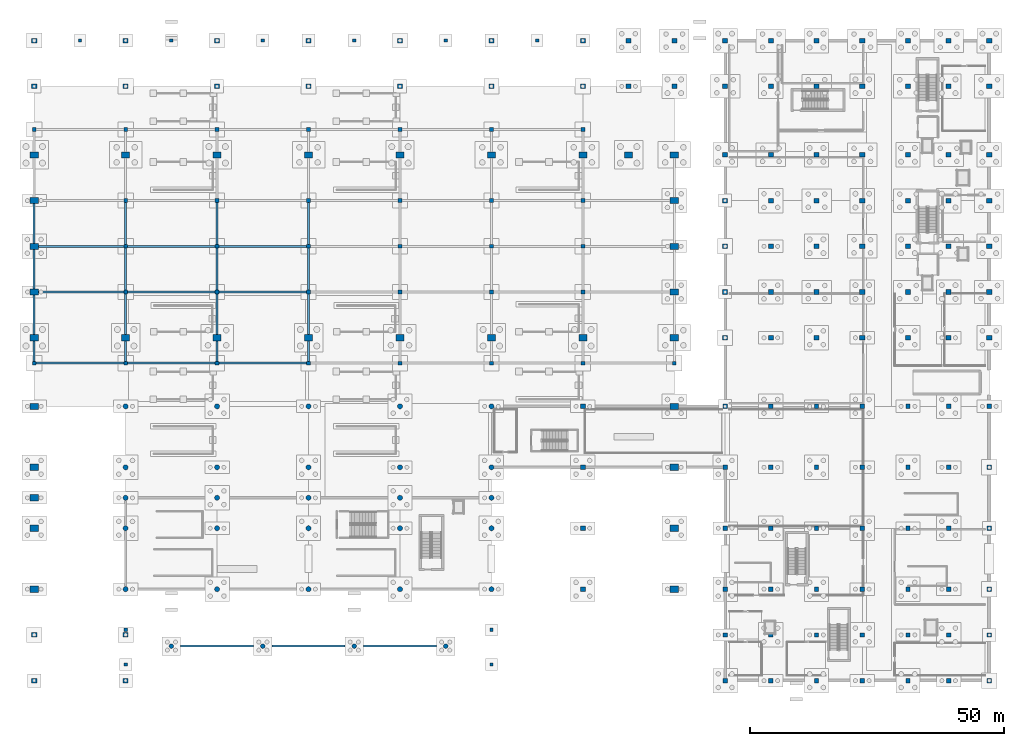
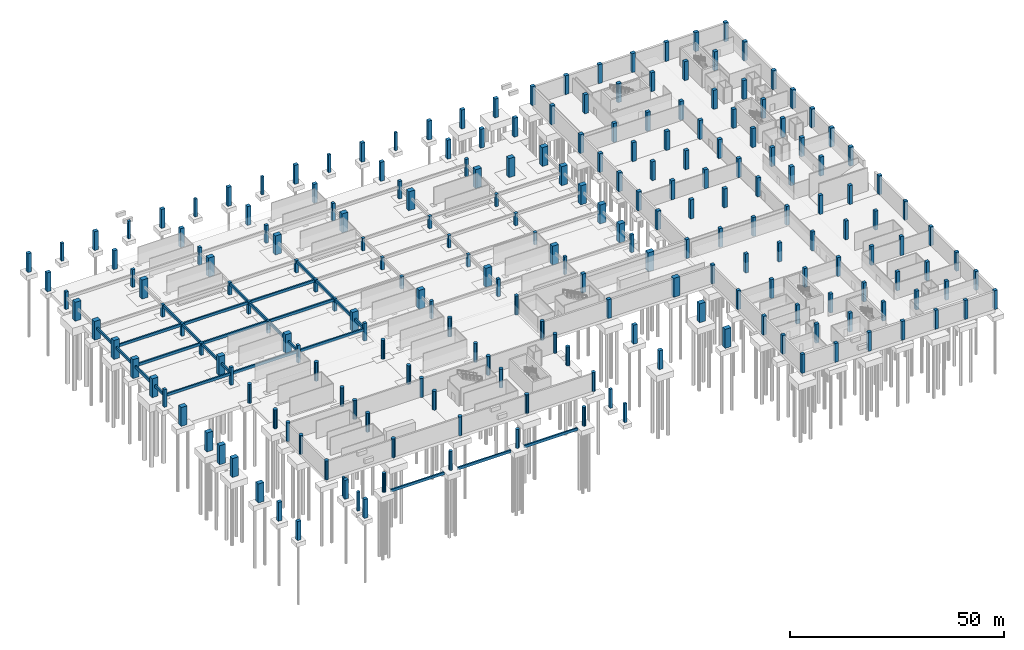
# One storey, part 10 of 26: 221 columns, 28 beams.
"""IFC4 building model written with IfcOpenShell, lengths in metres."""

from ifc_helpers import new_model, si_unit, direction, frame, origin, origin_2d, place, context, subcontext, project, spatial, rectangle, circle, extrude, material, material_profile, profile_set, type_object, element, save


model = new_model("IFC4")

# Units and contexts
model_context = context("Model", 3, precision=1e-05, world=origin(), true_north=direction((0.0, 1.0)))
body_context = subcontext(model_context, "Body", "Model", "MODEL_VIEW")
ifc_project = project(units=[si_unit("LENGTHUNIT", "METRE"), si_unit("AREAUNIT", "SQUARE_METRE"), si_unit("VOLUMEUNIT", "CUBIC_METRE"), si_unit("PLANEANGLEUNIT", "RADIAN"), si_unit("MASSUNIT", "GRAM", prefix="KILO")], contexts=[model_context])

# Site, building, storey
site_placement = place(None, origin())
site = spatial("IfcSite", under=ifc_project, at=site_placement, CompositionType="ELEMENT")
building_placement = place(site_placement, origin())
building = spatial("IfcBuilding", under=site, at=building_placement, Name="Chuanluo Vaults Station", CompositionType="ELEMENT")
storey_placement = place(building_placement, frame((0.0, 0.0, -5.39990234375)))
storey = spatial("IfcBuildingStorey", under=building, at=storey_placement, Name="B1", CompositionType="ELEMENT", Elevation=-5.39990234375)

# Columns
ifc_material_1 = material(Name="Concrete C50", Category="concrete")
ifc_material_profile_1 = material_profile(ifc_material_1, circle(Radius=0.5, at=origin_2d()))
ifc_profile_set_1 = profile_set([ifc_material_profile_1], Name="Concrete C50")
column_type_1 = type_object("IfcColumnType", Name="COL-CIR-1000", PredefinedType="COLUMN", material=ifc_profile_set_1)
for number, where, z_axis, x_axis, name in (
    (1, (18.0, 18.0, 0.0), (0.0, 0.0, 1.0), (1.0, 0.0, 0.0), "Column B1-017"),
    (2, (18.0, 30.0, 0.0), (0.0, 0.0, 1.0), (1.0, 0.0, 0.0), "Column B1-018"),
    (3, (18.0, 36.0, 0.0), (0.0, 0.0, 1.0), (1.0, 0.0, 0.0), "Column B1-019"),
    (4, (18.0, 42.0, 0.0), (0.0, 0.0, 1.0), (1.0, 0.0, 0.0), "Column B1-020"),
    (5, (18.0, 54.0, 0.0), (0.0, 0.0, 1.0), (1.0, 0.0, 0.0), "Column B1-021"),
    (6, (36.0, 18.0, 0.0), (0.0, 0.0, 1.0), (1.0, 0.0, 0.0), "Column B1-026"),
    (7, (36.0, 30.0, 0.0), (0.0, 0.0, 1.0), (1.0, 0.0, 0.0), "Column B1-027"),
    (8, (36.0, 36.0, 0.0), (0.0, 0.0, 1.0), (1.0, 0.0, 0.0), "Column B1-028"),
    (9, (36.0, 42.0, 0.0), (0.0, 0.0, 1.0), (1.0, 0.0, 0.0), "Column B1-029"),
    (10, (36.0, 54.0, 0.0), (0.0, 0.0, 1.0), (1.0, 0.0, 0.0), "Column B1-030"),
    (11, (54.0, 18.0, 0.0), (0.0, 0.0, 1.0), (1.0, 0.0, 0.0), "Column B1-035"),
    (12, (54.0, 30.0, 0.0), (0.0, 0.0, 1.0), (1.0, 0.0, 0.0), "Column B1-036"),
    (13, (54.0, 36.0, 0.0), (0.0, 0.0, 1.0), (1.0, 0.0, 0.0), "Column B1-037"),
    (14, (54.0, 42.0, 0.0), (0.0, 0.0, 1.0), (1.0, 0.0, 0.0), "Column B1-038"),
    (15, (54.0, 54.0, 0.0), (0.0, 0.0, 1.0), (1.0, 0.0, 0.0), "Column B1-039"),
    (16, (72.0, 18.0, 0.0), (0.0, 0.0, 1.0), (1.0, 0.0, 0.0), "Column B1-044"),
    (17, (72.0, 30.0, 0.0), (0.0, 0.0, 1.0), (1.0, 0.0, 0.0), "Column B1-045"),
    (18, (72.0, 36.0, 0.0), (0.0, 0.0, 1.0), (1.0, 0.0, 0.0), "Column B1-046"),
    (19, (72.0, 42.0, 0.0), (0.0, 0.0, 1.0), (1.0, 0.0, 0.0), "Column B1-047"),
    (20, (72.0, 54.0, 0.0), (0.0, 0.0, 1.0), (1.0, 0.0, 0.0), "Column B1-048"),
    (21, (90.0, 18.0, 0.0), (0.0, 0.0, 1.0), (1.0, 0.0, 0.0), "Column B1-053"),
    (22, (90.0, 30.0, 0.0), (0.0, 0.0, 1.0), (1.0, 0.0, 0.0), "Column B1-054"),
    (23, (90.0, 36.0, 0.0), (0.0, 0.0, 1.0), (1.0, 0.0, 0.0), "Column B1-055"),
    (24, (90.0, 42.0, 0.0), (0.0, 0.0, 1.0), (1.0, 0.0, 0.0), "Column B1-056"),
    (25, (90.0, 54.0, 0.0), (0.0, 0.0, 1.0), (1.0, 0.0, 0.0), "Column B1-057"),
):
    element("IfcColumn", number, at=place(storey_placement, frame(where, z_axis=z_axis, x_axis=x_axis)), inside=storey, type_object=column_type_1, Name=name, PredefinedType="COLUMN", context=body_context, shape_type="SweptSolid", body=[
        extrude(circle(Radius=0.5, at=origin_2d()), origin(), (0.0, 0.0, 1.0), 5.39990234375),
    ])
ifc_material_2 = material(Name="Concrete C50", Category="concrete")
ifc_material_profile_2 = material_profile(ifc_material_2, circle(Radius=0.449951171875, at=origin_2d()))
ifc_profile_set_2 = profile_set([ifc_material_profile_2], Name="Concrete C50")
column_type_2 = type_object("IfcColumnType", Name="COL-CIR-900", PredefinedType="COLUMN", material=ifc_profile_set_2)
for number, where, z_axis, x_axis, name in (
    (26, (27.0, 6.800048828125, 0.0), (0.0, 0.0, 1.0), (1.0, 0.0, 0.0), "Canopy substructure pier 01"),
    (27, (45.0, 6.800048828125, 0.0), (0.0, 0.0, 1.0), (1.0, 0.0, 0.0), "Canopy substructure pier 02"),
    (28, (63.0, 6.800048828125, 0.0), (0.0, 0.0, 1.0), (1.0, 0.0, 0.0), "Canopy substructure pier 03"),
    (29, (81.0, 6.800048828125, 0.0), (0.0, 0.0, 1.0), (1.0, 0.0, 0.0), "Canopy substructure pier 04"),
):
    element("IfcColumn", number, at=place(storey_placement, frame(where, z_axis=z_axis, x_axis=x_axis)), inside=storey, type_object=column_type_2, Name=name, PredefinedType="COLUMN", context=body_context, shape_type="SweptSolid", body=[
        extrude(circle(Radius=0.449951171875, at=origin_2d()), origin(), (0.0, 0.0, 1.0), 5.39990234375),
    ])
ifc_material_3 = material(Name="Concrete C50", Category="concrete")
ifc_material_profile_3 = material_profile(ifc_material_3, rectangle(XDim=1.0, YDim=0.89990234375, at=origin_2d()))
ifc_profile_set_3 = profile_set([ifc_material_profile_3], Name="Concrete C50")
column_type_3 = type_object("IfcColumnType", Name="COL-RC-1000x900", PredefinedType="COLUMN", material=ifc_profile_set_3)
for number, where, z_axis, x_axis, name in (
    (30, (0.0, 0.0, 0.0), (0.0, 0.0, 1.0), (1.0, 0.0, 0.0), "Column B1-001"),
    (31, (0.0, 9.0, 0.0), (0.0, 0.0, 1.0), (1.0, 0.0, 0.0), "Column B1-002"),
    (32, (0.0, 117.0, 0.0), (0.0, 0.0, 1.0), (1.0, 0.0, 0.0), "Column B1-013"),
    (33, (0.0, 126.0, 0.0), (0.0, 0.0, 1.0), (1.0, 0.0, 0.0), "Column B1-014"),
    (34, (18.0, 0.0, 0.0), (0.0, 0.0, 1.0), (1.0, 0.0, 0.0), "Column B1-015"),
    (35, (18.0, 9.0, 0.0), (0.0, 0.0, 1.0), (1.0, 0.0, 0.0), "Column B1-016"),
    (36, (18.0, 117.0, 0.0), (0.0, 0.0, 1.0), (1.0, 0.0, 0.0), "Column B1-024"),
    (37, (18.0, 126.0, 0.0), (0.0, 0.0, 1.0), (1.0, 0.0, 0.0), "Column B1-025"),
    (38, (36.0, 117.0, 0.0), (0.0, 0.0, 1.0), (1.0, 0.0, 0.0), "Column B1-033"),
    (39, (36.0, 126.0, 0.0), (0.0, 0.0, 1.0), (1.0, 0.0, 0.0), "Column B1-034"),
    (40, (54.0, 117.0, 0.0), (0.0, 0.0, 1.0), (1.0, 0.0, 0.0), "Column B1-042"),
    (41, (54.0, 126.0, 0.0), (0.0, 0.0, 1.0), (1.0, 0.0, 0.0), "Column B1-043"),
    (42, (72.0, 117.0, 0.0), (0.0, 0.0, 1.0), (1.0, 0.0, 0.0), "Column B1-051"),
    (43, (72.0, 126.0, 0.0), (0.0, 0.0, 1.0), (1.0, 0.0, 0.0), "Column B1-052"),
    (44, (90.0, 117.0, 0.0), (0.0, 0.0, 1.0), (1.0, 0.0, 0.0), "Column B1-060"),
    (45, (90.0, 126.0, 0.0), (0.0, 0.0, 1.0), (1.0, 0.0, 0.0), "Column B1-061"),
    (46, (108.0, 18.0, 0.0), (0.0, 0.0, 1.0), (1.0, 0.0, 0.0), "Column B1-062"),
    (47, (108.0, 30.0, 0.0), (0.0, 0.0, 1.0), (1.0, 0.0, 0.0), "Column B1-063"),
    (48, (108.0, 42.0, 0.0), (0.0, 0.0, 1.0), (1.0, 0.0, 0.0), "Column B1-064"),
    (49, (108.0, 54.0, 0.0), (0.0, 0.0, 1.0), (1.0, 0.0, 0.0), "Column B1-065"),
    (50, (108.0, 117.0, 0.0), (0.0, 0.0, 1.0), (1.0, 0.0, 0.0), "Column B1-068"),
    (51, (108.0, 126.0, 0.0), (0.0, 0.0, 1.0), (1.0, 0.0, 0.0), "Column B1-069"),
    (52, (117.0, 117.0, 0.0), (0.0, 0.0, 1.0), (1.0, 0.0, 0.0), "Column B1-071"),
    (53, (117.0, 126.0, 0.0), (0.0, 0.0, 1.0), (1.0, 0.0, 0.0), "Column B1-072"),
    (54, (126.0, 117.0, 0.0), (0.0, 0.0, 1.0), (1.0, 0.0, 0.0), "Column B1-082"),
    (55, (126.0, 126.0, 0.0), (0.0, 0.0, 1.0), (1.0, 0.0, 0.0), "Column B1-083"),
    (56, (136.0, 67.5, 0.0), (0.0, 0.0, 1.0), (1.0, 0.0, 0.0), "Column B1-090"),
    (57, (136.0, 76.5, 0.0), (0.0, 0.0, 1.0), (1.0, 0.0, 0.0), "Column B1-091"),
    (58, (136.0, 85.5, 0.0), (0.0, 0.0, 1.0), (1.0, 0.0, 0.0), "Column B1-092"),
    (59, (136.0, 94.5, 0.0), (0.0, 0.0, 1.0), (1.0, 0.0, 0.0), "Column B1-093"),
    (60, (136.0, 103.5, 0.0), (0.0, 0.0, 1.0), (1.0, 0.0, 0.0), "Column B1-094"),
    (61, (136.0, 117.0, 0.0), (0.0, 0.0, 1.0), (1.0, 0.0, 0.0), "Column B1-095"),
    (62, (136.0, 126.0, 0.0), (0.0, 0.0, 1.0), (1.0, 0.0, 0.0), "Column B1-096"),
    (63, (145.0, 67.5, 0.0), (0.0, 0.0, 1.0), (1.0, 0.0, 0.0), "Column B1-103"),
    (64, (145.0, 76.5, 0.0), (0.0, 0.0, 1.0), (1.0, 0.0, 0.0), "Column B1-104"),
    (65, (145.0, 85.5, 0.0), (0.0, 0.0, 1.0), (1.0, 0.0, 0.0), "Column B1-105"),
    (66, (145.0, 94.5, 0.0), (0.0, 0.0, 1.0), (1.0, 0.0, 0.0), "Column B1-106"),
    (67, (145.0, 103.5, 0.0), (0.0, 0.0, 1.0), (1.0, 0.0, 0.0), "Column B1-107"),
    (68, (145.0, 117.0, 0.0), (0.0, 0.0, 1.0), (1.0, 0.0, 0.0), "Column B1-108"),
    (69, (145.0, 126.0, 0.0), (0.0, 0.0, 1.0), (1.0, 0.0, 0.0), "Column B1-109"),
    (70, (154.0, 67.5, 0.0), (0.0, 0.0, 1.0), (1.0, 0.0, 0.0), "Column B1-116"),
    (71, (154.0, 76.5, 0.0), (0.0, 0.0, 1.0), (1.0, 0.0, 0.0), "Column B1-117"),
    (72, (154.0, 85.5, 0.0), (0.0, 0.0, 1.0), (1.0, 0.0, 0.0), "Column B1-118"),
    (73, (154.0, 94.5, 0.0), (0.0, 0.0, 1.0), (1.0, 0.0, 0.0), "Column B1-119"),
    (74, (154.0, 103.5, 0.0), (0.0, 0.0, 1.0), (1.0, 0.0, 0.0), "Column B1-120"),
    (75, (154.0, 117.0, 0.0), (0.0, 0.0, 1.0), (1.0, 0.0, 0.0), "Column B1-121"),
    (76, (154.0, 126.0, 0.0), (0.0, 0.0, 1.0), (1.0, 0.0, 0.0), "Column B1-122"),
    (77, (163.0, 67.5, 0.0), (0.0, 0.0, 1.0), (1.0, 0.0, 0.0), "Column B1-129"),
    (78, (163.0, 76.5, 0.0), (0.0, 0.0, 1.0), (1.0, 0.0, 0.0), "Column B1-130"),
    (79, (163.0, 85.5, 0.0), (0.0, 0.0, 1.0), (1.0, 0.0, 0.0), "Column B1-131"),
    (80, (163.0, 94.5, 0.0), (0.0, 0.0, 1.0), (1.0, 0.0, 0.0), "Column B1-132"),
    (81, (163.0, 103.5, 0.0), (0.0, 0.0, 1.0), (1.0, 0.0, 0.0), "Column B1-133"),
    (82, (163.0, 117.0, 0.0), (0.0, 0.0, 1.0), (1.0, 0.0, 0.0), "Column B1-134"),
    (83, (163.0, 126.0, 0.0), (0.0, 0.0, 1.0), (1.0, 0.0, 0.0), "Column B1-135"),
    (84, (172.0, 67.5, 0.0), (0.0, 0.0, 1.0), (1.0, 0.0, 0.0), "Column B1-142"),
    (85, (172.0, 76.5, 0.0), (0.0, 0.0, 1.0), (1.0, 0.0, 0.0), "Column B1-143"),
    (86, (172.0, 85.5, 0.0), (0.0, 0.0, 1.0), (1.0, 0.0, 0.0), "Column B1-144"),
    (87, (172.0, 94.5, 0.0), (0.0, 0.0, 1.0), (1.0, 0.0, 0.0), "Column B1-145"),
    (88, (172.0, 103.5, 0.0), (0.0, 0.0, 1.0), (1.0, 0.0, 0.0), "Column B1-146"),
    (89, (172.0, 117.0, 0.0), (0.0, 0.0, 1.0), (1.0, 0.0, 0.0), "Column B1-147"),
    (90, (172.0, 126.0, 0.0), (0.0, 0.0, 1.0), (1.0, 0.0, 0.0), "Column B1-148"),
    (91, (180.0, 67.5, 0.0), (0.0, 0.0, 1.0), (1.0, 0.0, 0.0), "Column B1-155"),
    (92, (180.0, 76.5, 0.0), (0.0, 0.0, 1.0), (1.0, 0.0, 0.0), "Column B1-156"),
    (93, (180.0, 85.5, 0.0), (0.0, 0.0, 1.0), (1.0, 0.0, 0.0), "Column B1-157"),
    (94, (180.0, 94.5, 0.0), (0.0, 0.0, 1.0), (1.0, 0.0, 0.0), "Column B1-158"),
    (95, (180.0, 103.5, 0.0), (0.0, 0.0, 1.0), (1.0, 0.0, 0.0), "Column B1-159"),
    (96, (180.0, 117.0, 0.0), (0.0, 0.0, 1.0), (1.0, 0.0, 0.0), "Column B1-160"),
    (97, (180.0, 126.0, 0.0), (0.0, 0.0, 1.0), (1.0, 0.0, 0.0), "Column B1-161"),
    (98, (188.0, 67.5, 0.0), (0.0, 0.0, 1.0), (1.0, 0.0, 0.0), "Column B1-168"),
    (99, (188.0, 76.5, 0.0), (0.0, 0.0, 1.0), (1.0, 0.0, 0.0), "Column B1-169"),
    (100, (188.0, 85.5, 0.0), (0.0, 0.0, 1.0), (1.0, 0.0, 0.0), "Column B1-170"),
    (101, (188.0, 94.5, 0.0), (0.0, 0.0, 1.0), (1.0, 0.0, 0.0), "Column B1-171"),
    (102, (188.0, 103.5, 0.0), (0.0, 0.0, 1.0), (1.0, 0.0, 0.0), "Column B1-172"),
    (103, (188.0, 117.0, 0.0), (0.0, 0.0, 1.0), (1.0, 0.0, 0.0), "Column B1-173"),
    (104, (188.0, 126.0, 0.0), (0.0, 0.0, 1.0), (1.0, 0.0, 0.0), "Column B1-174"),
):
    element("IfcColumn", number, at=place(storey_placement, frame(where, z_axis=z_axis, x_axis=x_axis)), inside=storey, type_object=column_type_3, Name=name, PredefinedType="COLUMN", context=body_context, shape_type="SweptSolid", body=[
        extrude(rectangle(XDim=1.0, YDim=0.89990234375, at=origin_2d()), origin(), (0.0, 0.0, 1.0), 5.39990234375),
    ])
ifc_material_4 = material(Name="Concrete C40", Category="concrete")
ifc_material_profile_4 = material_profile(ifc_material_4, rectangle(XDim=0.64990234375, YDim=0.64990234375, at=origin_2d()))
ifc_profile_set_4 = profile_set([ifc_material_profile_4], Name="Concrete C40")
column_type_4 = type_object("IfcColumnType", Name="COL-RC-650x650", PredefinedType="COLUMN", material=ifc_profile_set_4)
for number, where, z_axis, x_axis, name in (
    (105, (18.0, 3.199951171875, 0.0), (0.0, 0.0, 1.0), (1.0, 0.0, 0.0), "Canopy end substructure pier 18-3"),
    (106, (18.0, 10.0, 0.0), (0.0, 0.0, 1.0), (1.0, 0.0, 0.0), "Canopy end substructure pier 18-10"),
    (107, (90.0, 3.199951171875, 0.0), (0.0, 0.0, 1.0), (1.0, 0.0, 0.0), "Canopy end substructure pier 90-3"),
    (108, (90.0, 10.0, 0.0), (0.0, 0.0, 1.0), (1.0, 0.0, 0.0), "Canopy end substructure pier 90-10"),
):
    element("IfcColumn", number, at=place(storey_placement, frame(where, z_axis=z_axis, x_axis=x_axis)), inside=storey, type_object=column_type_4, Name=name, PredefinedType="COLUMN", context=body_context, shape_type="SweptSolid", body=[
        extrude(rectangle(XDim=0.64990234375, YDim=0.64990234375, at=origin_2d()), origin(), (0.0, 0.0, 1.0), 5.39990234375),
    ])
for number, where, z_axis, x_axis, name in (
    (109, (9.0, 126.0, 0.0), (0.0, 0.0, 1.0), (1.0, 0.0, 0.0), "Pilaster substructure pier 01"),
    (110, (27.0, 126.0, 0.0), (0.0, 0.0, 1.0), (1.0, 0.0, 0.0), "Pilaster substructure pier 02"),
    (111, (45.0, 126.0, 0.0), (0.0, 0.0, 1.0), (1.0, 0.0, 0.0), "Pilaster substructure pier 03"),
    (112, (63.0, 126.0, 0.0), (0.0, 0.0, 1.0), (1.0, 0.0, 0.0), "Pilaster substructure pier 04"),
    (113, (81.0, 126.0, 0.0), (0.0, 0.0, 1.0), (1.0, 0.0, 0.0), "Pilaster substructure pier 05"),
    (114, (99.0, 126.0, 0.0), (0.0, 0.0, 1.0), (1.0, 0.0, 0.0), "Pilaster substructure pier 06"),
):
    element("IfcColumn", number, at=place(storey_placement, frame(where, z_axis=z_axis, x_axis=x_axis)), inside=storey, type_object=column_type_4, Name=name, PredefinedType="COLUMN", context=body_context, shape_type="SweptSolid", body=[
        extrude(rectangle(XDim=0.64990234375, YDim=0.64990234375, at=origin_2d()), origin(), (0.0, 0.0, 1.0), 5.079833984375),
    ])
ifc_material_5 = material(Name="Concrete C40", Category="concrete")
ifc_material_profile_5 = material_profile(ifc_material_5, rectangle(XDim=0.75, YDim=0.75, at=origin_2d()))
ifc_profile_set_5 = profile_set([ifc_material_profile_5], Name="Concrete C40")
column_type_5 = type_object("IfcColumnType", Name="COL-RC-750x750", PredefinedType="COLUMN", material=ifc_profile_set_5)
for number, where, z_axis, x_axis, name in (
    (115, (0.0, 62.5, 0.0), (0.0, 0.0, 1.0), (1.0, 0.0, 0.0), "Track and platform substructure pier 02"),
    (116, (18.0, 62.5, 0.0), (0.0, 0.0, 1.0), (1.0, 0.0, 0.0), "Track and platform substructure pier 04"),
    (117, (36.0, 62.5, 0.0), (0.0, 0.0, 1.0), (1.0, 0.0, 0.0), "Track and platform substructure pier 06"),
    (118, (54.0, 62.5, 0.0), (0.0, 0.0, 1.0), (1.0, 0.0, 0.0), "Track and platform substructure pier 08"),
    (119, (72.0, 62.5, 0.0), (0.0, 0.0, 1.0), (1.0, 0.0, 0.0), "Track and platform substructure pier 10"),
    (120, (90.0, 62.5, 0.0), (0.0, 0.0, 1.0), (1.0, 0.0, 0.0), "Track and platform substructure pier 12"),
    (121, (108.0, 62.5, 0.0), (0.0, 0.0, 1.0), (1.0, 0.0, 0.0), "Track and platform substructure pier 14"),
    (122, (126.0, 62.5, 0.0), (0.0, 0.0, 1.0), (1.0, 0.0, 0.0), "Track and platform substructure pier 16"),
):
    element("IfcColumn", number, at=place(storey_placement, frame(where, z_axis=z_axis, x_axis=x_axis)), inside=storey, type_object=column_type_5, Name=name, PredefinedType="COLUMN", context=body_context, shape_type="SweptSolid", body=[
        extrude(rectangle(XDim=0.75, YDim=0.75, at=origin_2d()), origin(), (0.0, 0.0, 1.0), 5.02001953125),
    ])
for number, where, z_axis, x_axis, name in (
    (123, (18.0, 76.5, 0.0), (0.0, 0.0, 1.0), (1.0, 0.0, 0.0), "Track and platform substructure pier 18"),
    (124, (36.0, 76.5, 0.0), (0.0, 0.0, 1.0), (1.0, 0.0, 0.0), "Track and platform substructure pier 20"),
    (125, (54.0, 76.5, 0.0), (0.0, 0.0, 1.0), (1.0, 0.0, 0.0), "Track and platform substructure pier 22"),
    (126, (72.0, 76.5, 0.0), (0.0, 0.0, 1.0), (1.0, 0.0, 0.0), "Track and platform substructure pier 24"),
    (127, (90.0, 76.5, 0.0), (0.0, 0.0, 1.0), (1.0, 0.0, 0.0), "Track and platform substructure pier 26"),
    (128, (108.0, 76.5, 0.0), (0.0, 0.0, 1.0), (1.0, 0.0, 0.0), "Track and platform substructure pier 28"),
    (129, (18.0, 85.5, 0.0), (0.0, 0.0, 1.0), (1.0, 0.0, 0.0), "Track and platform substructure pier 30"),
    (130, (36.0, 85.5, 0.0), (0.0, 0.0, 1.0), (1.0, 0.0, 0.0), "Track and platform substructure pier 32"),
    (131, (54.0, 85.5, 0.0), (0.0, 0.0, 1.0), (1.0, 0.0, 0.0), "Track and platform substructure pier 34"),
    (132, (72.0, 85.5, 0.0), (0.0, 0.0, 1.0), (1.0, 0.0, 0.0), "Track and platform substructure pier 36"),
    (133, (90.0, 85.5, 0.0), (0.0, 0.0, 1.0), (1.0, 0.0, 0.0), "Track and platform substructure pier 38"),
    (134, (108.0, 85.5, 0.0), (0.0, 0.0, 1.0), (1.0, 0.0, 0.0), "Track and platform substructure pier 40"),
    (135, (18.0, 94.5, 0.0), (0.0, 0.0, 1.0), (1.0, 0.0, 0.0), "Track and platform substructure pier 42"),
    (136, (36.0, 94.5, 0.0), (0.0, 0.0, 1.0), (1.0, 0.0, 0.0), "Track and platform substructure pier 44"),
    (137, (54.0, 94.5, 0.0), (0.0, 0.0, 1.0), (1.0, 0.0, 0.0), "Track and platform substructure pier 46"),
    (138, (72.0, 94.5, 0.0), (0.0, 0.0, 1.0), (1.0, 0.0, 0.0), "Track and platform substructure pier 48"),
    (139, (90.0, 94.5, 0.0), (0.0, 0.0, 1.0), (1.0, 0.0, 0.0), "Track and platform substructure pier 50"),
    (140, (108.0, 94.5, 0.0), (0.0, 0.0, 1.0), (1.0, 0.0, 0.0), "Track and platform substructure pier 52"),
):
    element("IfcColumn", number, at=place(storey_placement, frame(where, z_axis=z_axis, x_axis=x_axis)), inside=storey, type_object=column_type_5, Name=name, PredefinedType="COLUMN", context=body_context, shape_type="SweptSolid", body=[
        extrude(rectangle(XDim=0.75, YDim=0.75, at=origin_2d()), origin(), (0.0, 0.0, 1.0), 3.5),
    ])
for number, where, z_axis, x_axis, name in (
    (141, (0.0, 108.5, 0.0), (0.0, 0.0, 1.0), (1.0, 0.0, 0.0), "Track and platform substructure pier 54"),
    (142, (18.0, 108.5, 0.0), (0.0, 0.0, 1.0), (1.0, 0.0, 0.0), "Track and platform substructure pier 56"),
    (143, (36.0, 108.5, 0.0), (0.0, 0.0, 1.0), (1.0, 0.0, 0.0), "Track and platform substructure pier 58"),
    (144, (54.0, 108.5, 0.0), (0.0, 0.0, 1.0), (1.0, 0.0, 0.0), "Track and platform substructure pier 60"),
    (145, (72.0, 108.5, 0.0), (0.0, 0.0, 1.0), (1.0, 0.0, 0.0), "Track and platform substructure pier 62"),
    (146, (90.0, 108.5, 0.0), (0.0, 0.0, 1.0), (1.0, 0.0, 0.0), "Track and platform substructure pier 64"),
    (147, (108.0, 108.5, 0.0), (0.0, 0.0, 1.0), (1.0, 0.0, 0.0), "Track and platform substructure pier 66"),
):
    element("IfcColumn", number, at=place(storey_placement, frame(where, z_axis=z_axis, x_axis=x_axis)), inside=storey, type_object=column_type_5, Name=name, PredefinedType="COLUMN", context=body_context, shape_type="SweptSolid", body=[
        extrude(rectangle(XDim=0.75, YDim=0.75, at=origin_2d()), origin(), (0.0, 0.0, 1.0), 5.02001953125),
    ])
ifc_material_6 = material(Name="Concrete C50", Category="concrete")
ifc_material_profile_6 = material_profile(ifc_material_6, rectangle(XDim=0.85009765625, YDim=0.85009765625, at=origin_2d()))
ifc_profile_set_6 = profile_set([ifc_material_profile_6], Name="Concrete C50")
column_type_6 = type_object("IfcColumnType", Name="COL-RC-850x850", PredefinedType="COLUMN", material=ifc_profile_set_6)
for number, where, z_axis, x_axis, name in (
    (148, (136.0, 0.0, 0.0), (0.0, 0.0, 1.0), (1.0, 0.0, 0.0), "Column B1-084"),
    (149, (136.0, 9.0, 0.0), (0.0, 0.0, 1.0), (1.0, 0.0, 0.0), "Column B1-085"),
    (150, (136.0, 18.0, 0.0), (0.0, 0.0, 1.0), (1.0, 0.0, 0.0), "Column B1-086"),
    (151, (136.0, 30.0, 0.0), (0.0, 0.0, 1.0), (1.0, 0.0, 0.0), "Column B1-087"),
    (152, (136.0, 42.0, 0.0), (0.0, 0.0, 1.0), (1.0, 0.0, 0.0), "Column B1-088"),
    (153, (136.0, 54.0, 0.0), (0.0, 0.0, 1.0), (1.0, 0.0, 0.0), "Column B1-089"),
    (154, (145.0, 0.0, 0.0), (0.0, 0.0, 1.0), (1.0, 0.0, 0.0), "Column B1-097"),
    (155, (145.0, 9.0, 0.0), (0.0, 0.0, 1.0), (1.0, 0.0, 0.0), "Column B1-098"),
    (156, (145.0, 18.0, 0.0), (0.0, 0.0, 1.0), (1.0, 0.0, 0.0), "Column B1-099"),
    (157, (145.0, 30.0, 0.0), (0.0, 0.0, 1.0), (1.0, 0.0, 0.0), "Column B1-100"),
    (158, (145.0, 42.0, 0.0), (0.0, 0.0, 1.0), (1.0, 0.0, 0.0), "Column B1-101"),
    (159, (145.0, 54.0, 0.0), (0.0, 0.0, 1.0), (1.0, 0.0, 0.0), "Column B1-102"),
    (160, (154.0, 0.0, 0.0), (0.0, 0.0, 1.0), (1.0, 0.0, 0.0), "Column B1-110"),
    (161, (154.0, 9.0, 0.0), (0.0, 0.0, 1.0), (1.0, 0.0, 0.0), "Column B1-111"),
    (162, (154.0, 18.0, 0.0), (0.0, 0.0, 1.0), (1.0, 0.0, 0.0), "Column B1-112"),
    (163, (154.0, 30.0, 0.0), (0.0, 0.0, 1.0), (1.0, 0.0, 0.0), "Column B1-113"),
    (164, (154.0, 42.0, 0.0), (0.0, 0.0, 1.0), (1.0, 0.0, 0.0), "Column B1-114"),
    (165, (154.0, 54.0, 0.0), (0.0, 0.0, 1.0), (1.0, 0.0, 0.0), "Column B1-115"),
    (166, (163.0, 0.0, 0.0), (0.0, 0.0, 1.0), (1.0, 0.0, 0.0), "Column B1-123"),
    (167, (163.0, 9.0, 0.0), (0.0, 0.0, 1.0), (1.0, 0.0, 0.0), "Column B1-124"),
    (168, (163.0, 18.0, 0.0), (0.0, 0.0, 1.0), (1.0, 0.0, 0.0), "Column B1-125"),
    (169, (163.0, 30.0, 0.0), (0.0, 0.0, 1.0), (1.0, 0.0, 0.0), "Column B1-126"),
    (170, (163.0, 42.0, 0.0), (0.0, 0.0, 1.0), (1.0, 0.0, 0.0), "Column B1-127"),
    (171, (163.0, 54.0, 0.0), (0.0, 0.0, 1.0), (1.0, 0.0, 0.0), "Column B1-128"),
    (172, (172.0, 0.0, 0.0), (0.0, 0.0, 1.0), (1.0, 0.0, 0.0), "Column B1-136"),
    (173, (172.0, 9.0, 0.0), (0.0, 0.0, 1.0), (1.0, 0.0, 0.0), "Column B1-137"),
    (174, (172.0, 18.0, 0.0), (0.0, 0.0, 1.0), (1.0, 0.0, 0.0), "Column B1-138"),
    (175, (172.0, 30.0, 0.0), (0.0, 0.0, 1.0), (1.0, 0.0, 0.0), "Column B1-139"),
    (176, (172.0, 42.0, 0.0), (0.0, 0.0, 1.0), (1.0, 0.0, 0.0), "Column B1-140"),
    (177, (172.0, 54.0, 0.0), (0.0, 0.0, 1.0), (1.0, 0.0, 0.0), "Column B1-141"),
    (178, (180.0, 0.0, 0.0), (0.0, 0.0, 1.0), (1.0, 0.0, 0.0), "Column B1-149"),
    (179, (180.0, 9.0, 0.0), (0.0, 0.0, 1.0), (1.0, 0.0, 0.0), "Column B1-150"),
    (180, (180.0, 18.0, 0.0), (0.0, 0.0, 1.0), (1.0, 0.0, 0.0), "Column B1-151"),
    (181, (180.0, 30.0, 0.0), (0.0, 0.0, 1.0), (1.0, 0.0, 0.0), "Column B1-152"),
    (182, (180.0, 42.0, 0.0), (0.0, 0.0, 1.0), (1.0, 0.0, 0.0), "Column B1-153"),
    (183, (180.0, 54.0, 0.0), (0.0, 0.0, 1.0), (1.0, 0.0, 0.0), "Column B1-154"),
    (184, (188.0, 0.0, 0.0), (0.0, 0.0, 1.0), (1.0, 0.0, 0.0), "Column B1-162"),
    (185, (188.0, 9.0, 0.0), (0.0, 0.0, 1.0), (1.0, 0.0, 0.0), "Column B1-163"),
    (186, (188.0, 18.0, 0.0), (0.0, 0.0, 1.0), (1.0, 0.0, 0.0), "Column B1-164"),
    (187, (188.0, 30.0, 0.0), (0.0, 0.0, 1.0), (1.0, 0.0, 0.0), "Column B1-165"),
    (188, (188.0, 42.0, 0.0), (0.0, 0.0, 1.0), (1.0, 0.0, 0.0), "Column B1-166"),
    (189, (188.0, 54.0, 0.0), (0.0, 0.0, 1.0), (1.0, 0.0, 0.0), "Column B1-167"),
):
    element("IfcColumn", number, at=place(storey_placement, frame(where, z_axis=z_axis, x_axis=x_axis)), inside=storey, type_object=column_type_6, Name=name, PredefinedType="COLUMN", context=body_context, shape_type="SweptSolid", body=[
        extrude(rectangle(XDim=0.85009765625, YDim=0.85009765625, at=origin_2d()), origin(), (0.0, 0.0, 1.0), 5.39990234375),
    ])
ifc_material_7 = material(Name="Concrete C50", Category="concrete")
ifc_material_profile_7 = material_profile(ifc_material_7, rectangle(XDim=1.60009765625, YDim=1.199951171875, at=origin_2d()))
ifc_profile_set_7 = profile_set([ifc_material_profile_7], Name="Concrete C50")
column_type_7 = type_object("IfcColumnType", Name="COL-SRC-1600x1200", PredefinedType="COLUMN", material=ifc_profile_set_7)
for number, where, z_axis, x_axis, name in (
    (190, (0.0, 18.0, 0.0), (0.0, 0.0, 1.0), (1.0, 0.0, 0.0), "Column B1-003"),
    (191, (0.0, 30.0, 0.0), (0.0, 0.0, 1.0), (1.0, 0.0, 0.0), "Column B1-004"),
    (192, (0.0, 36.0, 0.0), (0.0, 0.0, 1.0), (1.0, 0.0, 0.0), "Column B1-005"),
    (193, (0.0, 42.0, 0.0), (0.0, 0.0, 1.0), (1.0, 0.0, 0.0), "Column B1-006"),
    (194, (0.0, 54.0, 0.0), (0.0, 0.0, 1.0), (1.0, 0.0, 0.0), "Column B1-007"),
    (195, (0.0, 67.5, 0.0), (0.0, 0.0, 1.0), (1.0, 0.0, 0.0), "Column B1-008"),
    (196, (0.0, 76.5, 0.0), (0.0, 0.0, 1.0), (1.0, 0.0, 0.0), "Column B1-009"),
    (197, (0.0, 85.5, 0.0), (0.0, 0.0, 1.0), (1.0, 0.0, 0.0), "Column B1-010"),
    (198, (0.0, 94.5, 0.0), (0.0, 0.0, 1.0), (1.0, 0.0, 0.0), "Column B1-011"),
    (199, (0.0, 103.5, 0.0), (0.0, 0.0, 1.0), (1.0, 0.0, 0.0), "Column B1-012"),
    (200, (18.0, 67.5, 0.0), (0.0, 0.0, 1.0), (1.0, 0.0, 0.0), "Column B1-022"),
    (201, (18.0, 103.5, 0.0), (0.0, 0.0, 1.0), (1.0, 0.0, 0.0), "Column B1-023"),
    (202, (36.0, 67.5, 0.0), (0.0, 0.0, 1.0), (1.0, 0.0, 0.0), "Column B1-031"),
    (203, (36.0, 103.5, 0.0), (0.0, 0.0, 1.0), (1.0, 0.0, 0.0), "Column B1-032"),
    (204, (54.0, 67.5, 0.0), (0.0, 0.0, 1.0), (1.0, 0.0, 0.0), "Column B1-040"),
    (205, (54.0, 103.5, 0.0), (0.0, 0.0, 1.0), (1.0, 0.0, 0.0), "Column B1-041"),
    (206, (72.0, 67.5, 0.0), (0.0, 0.0, 1.0), (1.0, 0.0, 0.0), "Column B1-049"),
    (207, (72.0, 103.5, 0.0), (0.0, 0.0, 1.0), (1.0, 0.0, 0.0), "Column B1-050"),
    (208, (90.0, 67.5, 0.0), (0.0, 0.0, 1.0), (1.0, 0.0, 0.0), "Column B1-058"),
    (209, (90.0, 103.5, 0.0), (0.0, 0.0, 1.0), (1.0, 0.0, 0.0), "Column B1-059"),
    (210, (108.0, 67.5, 0.0), (0.0, 0.0, 1.0), (1.0, 0.0, 0.0), "Column B1-066"),
    (211, (108.0, 103.5, 0.0), (0.0, 0.0, 1.0), (1.0, 0.0, 0.0), "Column B1-067"),
    (212, (117.0, 103.5, 0.0), (0.0, 0.0, 1.0), (1.0, 0.0, 0.0), "Column B1-070"),
    (213, (126.0, 18.0, 0.0), (0.0, 0.0, 1.0), (1.0, 0.0, 0.0), "Column B1-073"),
    (214, (126.0, 30.0, 0.0), (0.0, 0.0, 1.0), (1.0, 0.0, 0.0), "Column B1-074"),
    (215, (126.0, 42.0, 0.0), (0.0, 0.0, 1.0), (1.0, 0.0, 0.0), "Column B1-075"),
    (216, (126.0, 54.0, 0.0), (0.0, 0.0, 1.0), (1.0, 0.0, 0.0), "Column B1-076"),
    (217, (126.0, 67.5, 0.0), (0.0, 0.0, 1.0), (1.0, 0.0, 0.0), "Column B1-077"),
    (218, (126.0, 76.5, 0.0), (0.0, 0.0, 1.0), (1.0, 0.0, 0.0), "Column B1-078"),
    (219, (126.0, 85.5, 0.0), (0.0, 0.0, 1.0), (1.0, 0.0, 0.0), "Column B1-079"),
    (220, (126.0, 94.5, 0.0), (0.0, 0.0, 1.0), (1.0, 0.0, 0.0), "Column B1-080"),
    (221, (126.0, 103.5, 0.0), (0.0, 0.0, 1.0), (1.0, 0.0, 0.0), "Column B1-081"),
):
    element("IfcColumn", number, at=place(storey_placement, frame(where, z_axis=z_axis, x_axis=x_axis)), inside=storey, type_object=column_type_7, Name=name, PredefinedType="COLUMN", context=body_context, shape_type="SweptSolid", body=[
        extrude(rectangle(XDim=1.60009765625, YDim=1.199951171875, at=origin_2d()), origin(), (0.0, 0.0, 1.0), 5.39990234375),
    ])

# Beams
ifc_material_8 = material(Name="Concrete C40", Category="concrete")
ifc_material_profile_8 = material_profile(ifc_material_8, rectangle(XDim=0.39990234375, YDim=0.75, at=origin_2d()))
ifc_profile_set_8 = profile_set([ifc_material_profile_8], Name="Concrete C40")
beam_type = type_object("IfcBeamType", Name="BM-RC-750", PredefinedType="USERDEFINED", material=ifc_profile_set_8)
for number, where, z_axis, x_axis, name in (
    (222, (0.0, 62.5, 3.125), (1.0, 0.0, 0.0), (0.0, 1.0, 0.0), "Track trough support girder 001"),
    (223, (18.0, 62.5, 3.125), (1.0, 0.0, 0.0), (0.0, 1.0, 0.0), "Track trough support girder 002"),
    (224, (36.0, 62.5, 3.125), (1.0, 0.0, 0.0), (0.0, 1.0, 0.0), "Track trough support girder 003"),
    (225, (0.0, 76.5, 3.125), (1.0, 0.0, 0.0), (0.0, 1.0, 0.0), "Track trough support girder 008"),
    (226, (18.0, 76.5, 3.125), (1.0, 0.0, 0.0), (0.0, 1.0, 0.0), "Track trough support girder 009"),
    (227, (36.0, 76.5, 3.125), (1.0, 0.0, 0.0), (0.0, 1.0, 0.0), "Track trough support girder 010"),
    (228, (0.0, 85.5, 3.125), (1.0, 0.0, 0.0), (0.0, 1.0, 0.0), "Track trough support girder 015"),
    (229, (18.0, 85.5, 3.125), (1.0, 0.0, 0.0), (0.0, 1.0, 0.0), "Track trough support girder 016"),
    (230, (36.0, 85.5, 3.125), (1.0, 0.0, 0.0), (0.0, 1.0, 0.0), "Track trough support girder 017"),
):
    element("IfcBeam", number, at=place(storey_placement, frame(where, z_axis=z_axis, x_axis=x_axis)), inside=storey, type_object=beam_type, Name=name, ObjectType="GIRDER", PredefinedType="USERDEFINED", context=body_context, shape_type="SweptSolid", body=[
        extrude(rectangle(XDim=0.39990234375, YDim=0.75, at=origin_2d()), origin(), (0.0, 0.0, 1.0), 18.0),
    ])
beam_1_placement = place(storey_placement, frame((0.0, 62.5, 3.125), z_axis=(0.0, 1.0, 0.0), x_axis=(-1.0, 0.0, 0.0)))
element("IfcBeam", 231, at=beam_1_placement, inside=storey, type_object=beam_type, Name="Track trough transverse girder 035", ObjectType="GIRDER", PredefinedType="USERDEFINED", context=body_context, shape_type="SweptSolid", body=[
    extrude(rectangle(XDim=0.39990234375, YDim=0.75, at=origin_2d()), origin(), (0.0, 0.0, 1.0), 5.0),
])
for number, where, z_axis, x_axis, name in (
    (232, (0.0, 67.5, 3.125), (0.0, 1.0, 0.0), (-1.0, 0.0, 0.0), "Track trough transverse girder 036"),
    (233, (0.0, 76.5, 3.125), (0.0, 1.0, 0.0), (-1.0, 0.0, 0.0), "Track trough transverse girder 037"),
    (234, (0.0, 85.5, 3.125), (0.0, 1.0, 0.0), (-1.0, 0.0, 0.0), "Track trough transverse girder 038"),
):
    element("IfcBeam", number, at=place(storey_placement, frame(where, z_axis=z_axis, x_axis=x_axis)), inside=storey, type_object=beam_type, Name=name, ObjectType="GIRDER", PredefinedType="USERDEFINED", context=body_context, shape_type="SweptSolid", body=[
        extrude(rectangle(XDim=0.39990234375, YDim=0.75, at=origin_2d()), origin(), (0.0, 0.0, 1.0), 9.0),
    ])
beam_2_placement = place(storey_placement, frame((18.0, 62.5, 3.125), z_axis=(0.0, 1.0, 0.0), x_axis=(-1.0, 0.0, 0.0)))
element("IfcBeam", 235, at=beam_2_placement, inside=storey, type_object=beam_type, Name="Track trough transverse girder 041", ObjectType="GIRDER", PredefinedType="USERDEFINED", context=body_context, shape_type="SweptSolid", body=[
    extrude(rectangle(XDim=0.39990234375, YDim=0.75, at=origin_2d()), origin(), (0.0, 0.0, 1.0), 5.0),
])
for number, where, z_axis, x_axis, name in (
    (236, (18.0, 67.5, 3.125), (0.0, 1.0, 0.0), (-1.0, 0.0, 0.0), "Track trough transverse girder 042"),
    (237, (18.0, 76.5, 3.125), (0.0, 1.0, 0.0), (-1.0, 0.0, 0.0), "Track trough transverse girder 043"),
    (238, (18.0, 85.5, 3.125), (0.0, 1.0, 0.0), (-1.0, 0.0, 0.0), "Track trough transverse girder 044"),
):
    element("IfcBeam", number, at=place(storey_placement, frame(where, z_axis=z_axis, x_axis=x_axis)), inside=storey, type_object=beam_type, Name=name, ObjectType="GIRDER", PredefinedType="USERDEFINED", context=body_context, shape_type="SweptSolid", body=[
        extrude(rectangle(XDim=0.39990234375, YDim=0.75, at=origin_2d()), origin(), (0.0, 0.0, 1.0), 9.0),
    ])
beam_3_placement = place(storey_placement, frame((36.0, 62.5, 3.125), z_axis=(0.0, 1.0, 0.0), x_axis=(-1.0, 0.0, 0.0)))
element("IfcBeam", 239, at=beam_3_placement, inside=storey, type_object=beam_type, Name="Track trough transverse girder 047", ObjectType="GIRDER", PredefinedType="USERDEFINED", context=body_context, shape_type="SweptSolid", body=[
    extrude(rectangle(XDim=0.39990234375, YDim=0.75, at=origin_2d()), origin(), (0.0, 0.0, 1.0), 5.0),
])
for number, where, z_axis, x_axis, name in (
    (240, (36.0, 67.5, 3.125), (0.0, 1.0, 0.0), (-1.0, 0.0, 0.0), "Track trough transverse girder 048"),
    (241, (36.0, 76.5, 3.125), (0.0, 1.0, 0.0), (-1.0, 0.0, 0.0), "Track trough transverse girder 049"),
    (242, (36.0, 85.5, 3.125), (0.0, 1.0, 0.0), (-1.0, 0.0, 0.0), "Track trough transverse girder 050"),
):
    element("IfcBeam", number, at=place(storey_placement, frame(where, z_axis=z_axis, x_axis=x_axis)), inside=storey, type_object=beam_type, Name=name, ObjectType="GIRDER", PredefinedType="USERDEFINED", context=body_context, shape_type="SweptSolid", body=[
        extrude(rectangle(XDim=0.39990234375, YDim=0.75, at=origin_2d()), origin(), (0.0, 0.0, 1.0), 9.0),
    ])
beam_4_placement = place(storey_placement, frame((54.0, 62.5, 3.125), z_axis=(0.0, 1.0, 0.0), x_axis=(-1.0, 0.0, 0.0)))
element("IfcBeam", 243, at=beam_4_placement, inside=storey, type_object=beam_type, Name="Track trough transverse girder 053", ObjectType="GIRDER", PredefinedType="USERDEFINED", context=body_context, shape_type="SweptSolid", body=[
    extrude(rectangle(XDim=0.39990234375, YDim=0.75, at=origin_2d()), origin(), (0.0, 0.0, 1.0), 5.0),
])
for number, where, z_axis, x_axis, name in (
    (244, (54.0, 67.5, 3.125), (0.0, 1.0, 0.0), (-1.0, 0.0, 0.0), "Track trough transverse girder 054"),
    (245, (54.0, 76.5, 3.125), (0.0, 1.0, 0.0), (-1.0, 0.0, 0.0), "Track trough transverse girder 055"),
    (246, (54.0, 85.5, 3.125), (0.0, 1.0, 0.0), (-1.0, 0.0, 0.0), "Track trough transverse girder 056"),
):
    element("IfcBeam", number, at=place(storey_placement, frame(where, z_axis=z_axis, x_axis=x_axis)), inside=storey, type_object=beam_type, Name=name, ObjectType="GIRDER", PredefinedType="USERDEFINED", context=body_context, shape_type="SweptSolid", body=[
        extrude(rectangle(XDim=0.39990234375, YDim=0.75, at=origin_2d()), origin(), (0.0, 0.0, 1.0), 9.0),
    ])
for number, where, z_axis, x_axis, name in (
    (247, (28.800048828125, 6.800048828125, -0.375), (1.0, 0.0, 0.0), (0.0, 1.0, 0.0), "Canopy pile-cap ground tie beam 01"),
    (248, (46.800048828125, 6.800048828125, -0.375), (1.0, 0.0, 0.0), (0.0, 1.0, 0.0), "Canopy pile-cap ground tie beam 02"),
    (249, (64.800048828125, 6.800048828125, -0.375), (1.0, 0.0, 0.0), (0.0, 1.0, 0.0), "Canopy pile-cap ground tie beam 03"),
):
    element("IfcBeam", number, at=place(storey_placement, frame(where, z_axis=z_axis, x_axis=x_axis)), inside=storey, type_object=beam_type, Name=name, ObjectType="GIRDER", PredefinedType="USERDEFINED", context=body_context, shape_type="SweptSolid", body=[
        extrude(rectangle(XDim=0.39990234375, YDim=0.75, at=origin_2d()), origin(), (0.0, 0.0, 1.0), 14.39990234375),
    ])

save(model, "model.ifc")
